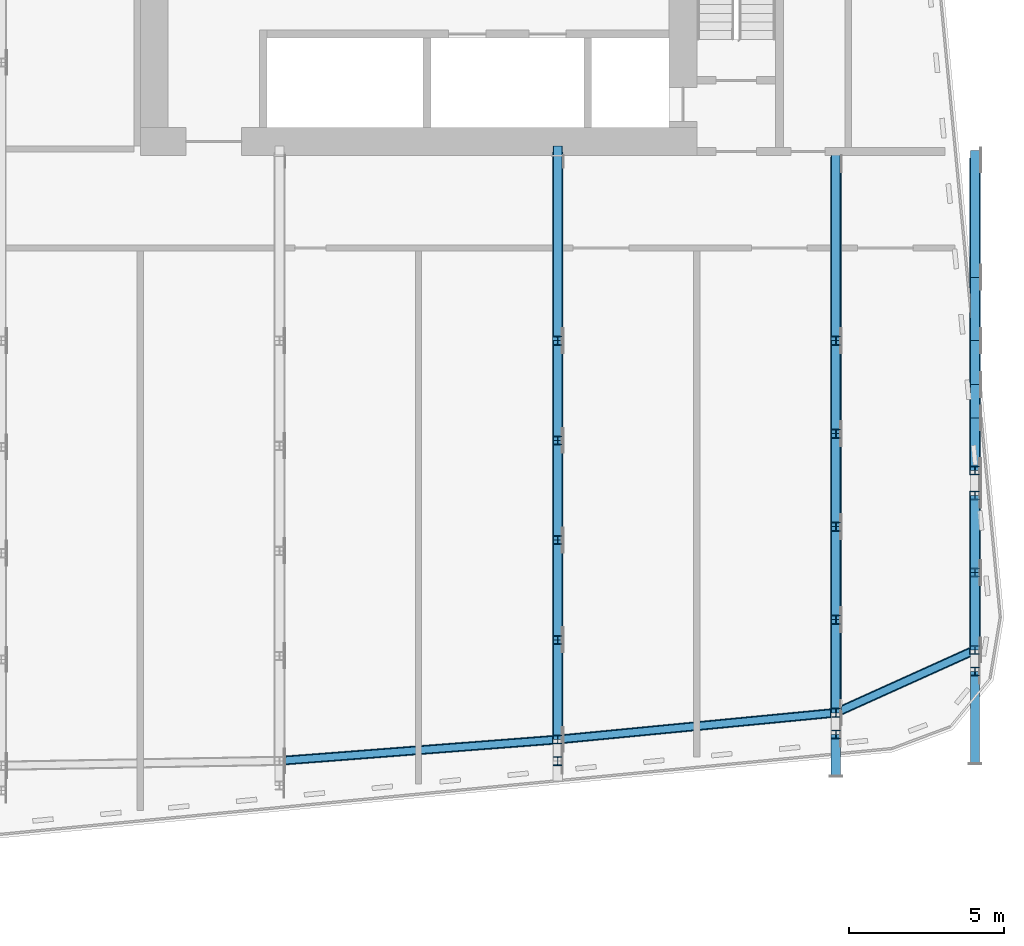
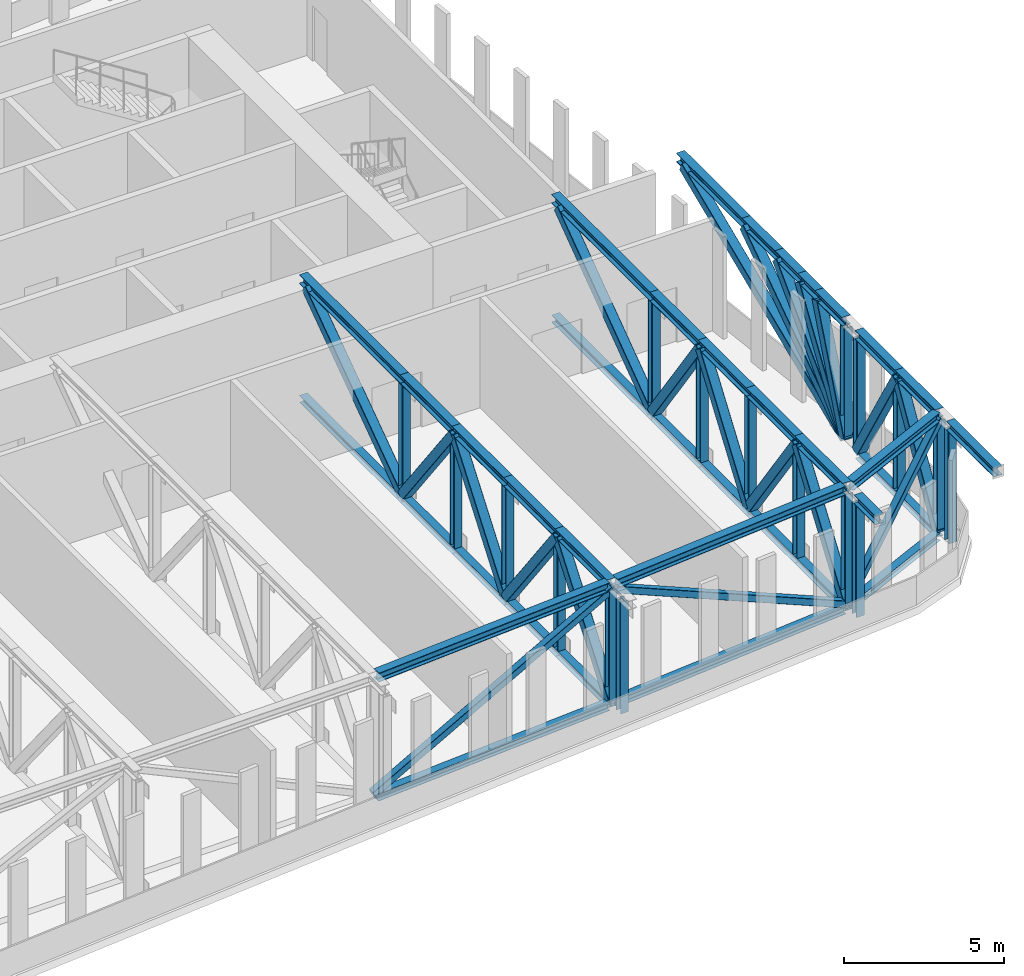
# One storey, part 6 of 26: 74 members.
"""IFC4 building model written with IfcOpenShell, lengths in metres."""

from ifc_helpers import new_model, si_unit, direction, frame, origin, origin_2d, place, context, subcontext, project, spatial, hollow_rectangle, i_section, extrude, material, material_profile, profile_set, type_object, element, save


model = new_model("IFC4")

# Units and contexts
model_context = context("Model", 3, precision=1e-05, world=origin(), true_north=direction((0.0, 1.0)))
body_context = subcontext(model_context, "Body", "Model", "MODEL_VIEW")
ifc_project = project(units=[si_unit("LENGTHUNIT", "METRE"), si_unit("AREAUNIT", "SQUARE_METRE"), si_unit("VOLUMEUNIT", "CUBIC_METRE"), si_unit("PLANEANGLEUNIT", "RADIAN"), si_unit("MASSUNIT", "GRAM", prefix="KILO")], contexts=[model_context])

# Site, building, storey
site_placement = place(None, origin())
site = spatial("IfcSite", under=ifc_project, at=site_placement, CompositionType="ELEMENT")
building_placement = place(site_placement, origin())
building = spatial("IfcBuilding", under=site, at=building_placement, Name="Kajstack Hotel Tower", CompositionType="ELEMENT")
storey_placement = place(building_placement, frame((0.0, 0.0, 206.5)))
storey = spatial("IfcBuildingStorey", under=building, at=storey_placement, Name="L50", CompositionType="ELEMENT", Elevation=206.5)

# Members
ifc_material = material(Name="Steel S355J2", Category="steel")
ifc_material_profile_1 = material_profile(ifc_material, i_section(OverallWidth=0.280029296875, OverallDepth=0.280029296875, WebThickness=0.010498046875, FlangeThickness=0.01806640625, FilletRadius=0.02392578125, at=origin_2d()), Name="HEB 280")
ifc_profile_set_1 = profile_set([ifc_material_profile_1], Name="Steel S355J2")
member_type_1 = type_object("IfcMemberType", Name="Belt truss bottom chord BB4 HEB 280", PredefinedType="CHORD", material=ifc_profile_set_1)
member_1_placement = place(storey_placement, frame((18.1396484375, -18.08056640625, -0.139892578125), z_axis=(0.997070882369, 0.076483040809, 0.0), x_axis=(-0.076483040809, 0.997070882369, 0.0)))
element("IfcMember", 1, at=member_1_placement, inside=storey, type_object=member_type_1, Name="S-belt-truss-L50-s07-b", PredefinedType="CHORD", context=body_context, shape_type="SweptSolid", body=[
    extrude(i_section(OverallWidth=0.280029296875, OverallDepth=0.280029296875, WebThickness=0.010498046875, FlangeThickness=0.01806640625, FilletRadius=0.02392578125, at=origin_2d()), origin(), (0.0, 0.0, 1.0), 8.746337890625),
])
member_2_placement = place(storey_placement, frame((27.139404296875, -17.387451171875, -0.139892578125), z_axis=(0.995395234309, 0.095855764124, 0.0), x_axis=(-0.095855764124, 0.995395234309, 0.0)))
element("IfcMember", 2, at=member_2_placement, inside=storey, type_object=member_type_1, Name="S-belt-truss-L50-s08-b", PredefinedType="CHORD", context=body_context, shape_type="SweptSolid", body=[
    extrude(i_section(OverallWidth=0.280029296875, OverallDepth=0.280029296875, WebThickness=0.010498046875, FlangeThickness=0.01806640625, FilletRadius=0.02392578125, at=origin_2d()), origin(), (0.0, 0.0, 1.0), 8.761474609375),
])
member_3_placement = place(storey_placement, frame((36.127685546875, -16.4765625, -0.139892578125), z_axis=(0.911424509945, 0.411467328802, 0.0), x_axis=(-0.411467328802, 0.911424509945, 0.0)))
element("IfcMember", 3, at=member_3_placement, inside=storey, type_object=member_type_1, Name="S-belt-truss-L50-s09-b", PredefinedType="CHORD", context=body_context, shape_type="SweptSolid", body=[
    extrude(i_section(OverallWidth=0.280029296875, OverallDepth=0.280029296875, WebThickness=0.010498046875, FlangeThickness=0.01806640625, FilletRadius=0.02392578125, at=origin_2d()), origin(), (0.0, 0.0, 1.0), 4.6572265625),
])
ifc_material_profile_2 = material_profile(ifc_material, i_section(OverallWidth=0.280029296875, OverallDepth=0.280029296875, WebThickness=0.010498046875, FlangeThickness=0.01806640625, FilletRadius=0.02392578125, at=origin_2d()), Name="HEB 280")
ifc_profile_set_2 = profile_set([ifc_material_profile_2], Name="Steel S355J2")
member_type_2 = type_object("IfcMemberType", Name="Belt truss bottom chord BC4 HEB 280", PredefinedType="CHORD", material=ifc_profile_set_2)
member_4_placement = place(storey_placement, frame((27.0, -17.40087890625, -0.139892578125), z_axis=(0.0, 1.0, 0.0), x_axis=(-1.0, 0.0, 0.0)))
element("IfcMember", 4, at=member_4_placement, inside=storey, type_object=member_type_2, Name="S-outrigger-truss-L50-+27p0-1-bc9", PredefinedType="CHORD", context=body_context, shape_type="SweptSolid", body=[
    extrude(i_section(OverallWidth=0.280029296875, OverallDepth=0.280029296875, WebThickness=0.010498046875, FlangeThickness=0.01806640625, FilletRadius=0.02392578125, at=origin_2d()), origin(), (0.0, 0.0, 1.0), 3.225341796875),
])
member_5_placement = place(storey_placement, frame((27.0, -14.175537109375, -0.139892578125), z_axis=(0.0, 1.0, 0.0), x_axis=(-1.0, 0.0, 0.0)))
element("IfcMember", 5, at=member_5_placement, inside=storey, type_object=member_type_2, Name="S-outrigger-truss-L50-+27p0-1-bc10", PredefinedType="CHORD", context=body_context, shape_type="SweptSolid", body=[
    extrude(i_section(OverallWidth=0.280029296875, OverallDepth=0.280029296875, WebThickness=0.010498046875, FlangeThickness=0.01806640625, FilletRadius=0.02392578125, at=origin_2d()), origin(), (0.0, 0.0, 1.0), 3.22509765625),
])
member_6_placement = place(storey_placement, frame((27.0, -10.950439453125, -0.139892578125), z_axis=(0.0, 1.0, 0.0), x_axis=(-1.0, 0.0, 0.0)))
element("IfcMember", 6, at=member_6_placement, inside=storey, type_object=member_type_2, Name="S-outrigger-truss-L50-+27p0-1-bc11", PredefinedType="CHORD", context=body_context, shape_type="SweptSolid", body=[
    extrude(i_section(OverallWidth=0.280029296875, OverallDepth=0.280029296875, WebThickness=0.010498046875, FlangeThickness=0.01806640625, FilletRadius=0.02392578125, at=origin_2d()), origin(), (0.0, 0.0, 1.0), 3.225341796875),
])
member_7_placement = place(storey_placement, frame((27.0, -7.72509765625, -0.139892578125), z_axis=(0.0, 1.0, 0.0), x_axis=(-1.0, 0.0, 0.0)))
element("IfcMember", 7, at=member_7_placement, inside=storey, type_object=member_type_2, Name="S-outrigger-truss-L50-+27p0-1-bc12", PredefinedType="CHORD", context=body_context, shape_type="SweptSolid", body=[
    extrude(i_section(OverallWidth=0.280029296875, OverallDepth=0.280029296875, WebThickness=0.010498046875, FlangeThickness=0.01806640625, FilletRadius=0.02392578125, at=origin_2d()), origin(), (0.0, 0.0, 1.0), 3.22509765625),
])
member_8_placement = place(storey_placement, frame((27.0, -4.5, -0.139892578125), z_axis=(0.0, 1.0, 0.0), x_axis=(-1.0, 0.0, 0.0)))
element("IfcMember", 8, at=member_8_placement, inside=storey, type_object=member_type_2, Name="S-outrigger-truss-L50-+27p0-1-bc13", PredefinedType="CHORD", context=body_context, shape_type="SweptSolid", body=[
    extrude(i_section(OverallWidth=0.280029296875, OverallDepth=0.280029296875, WebThickness=0.010498046875, FlangeThickness=0.01806640625, FilletRadius=0.02392578125, at=origin_2d()), origin(), (0.0, 0.0, 1.0), 6.300048828125),
])
for number, where, z_axis, x_axis, name in (
    (9, (36.0, -16.5341796875, -0.139892578125), (0.0, 1.0, 0.0), (-1.0, 0.0, 0.0), "S-belt-truss-L50-+36p0-1-bc9"),
    (10, (36.0, -13.525634765625, -0.139892578125), (0.0, 1.0, 0.0), (-1.0, 0.0, 0.0), "S-belt-truss-L50-+36p0-1-bc10"),
    (11, (36.0, -10.51708984375, -0.139892578125), (0.0, 1.0, 0.0), (-1.0, 0.0, 0.0), "S-belt-truss-L50-+36p0-1-bc11"),
    (12, (36.0, -7.508544921875, -0.139892578125), (0.0, 1.0, 0.0), (-1.0, 0.0, 0.0), "S-belt-truss-L50-+36p0-1-bc12"),
):
    element("IfcMember", number, at=place(storey_placement, frame(where, z_axis=z_axis, x_axis=x_axis)), inside=storey, type_object=member_type_2, Name=name, PredefinedType="CHORD", context=body_context, shape_type="SweptSolid", body=[
        extrude(i_section(OverallWidth=0.280029296875, OverallDepth=0.280029296875, WebThickness=0.010498046875, FlangeThickness=0.01806640625, FilletRadius=0.02392578125, at=origin_2d()), origin(), (0.0, 0.0, 1.0), 3.008544921875),
    ])
member_9_placement = place(storey_placement, frame((36.0, -4.5, -0.139892578125), z_axis=(0.0, 1.0, 0.0), x_axis=(-1.0, 0.0, 0.0)))
element("IfcMember", 13, at=member_9_placement, inside=storey, type_object=member_type_2, Name="S-belt-truss-L50-+36p0-1-bc13", PredefinedType="CHORD", context=body_context, shape_type="SweptSolid", body=[
    extrude(i_section(OverallWidth=0.280029296875, OverallDepth=0.280029296875, WebThickness=0.010498046875, FlangeThickness=0.01806640625, FilletRadius=0.02392578125, at=origin_2d()), origin(), (0.0, 0.0, 1.0), 6.14990234375),
])
for number, where, z_axis, x_axis, name in (
    (14, (40.5, -14.502685546875, -0.139892578125), (0.0, 1.0, 0.0), (-1.0, 0.0, 0.0), "S-belt-truss-L50-+40p5-1-bc12"),
    (15, (40.5, -12.001953125, -0.139892578125), (0.0, 1.0, 0.0), (-1.0, 0.0, 0.0), "S-belt-truss-L50-+40p5-1-bc13"),
):
    element("IfcMember", number, at=place(storey_placement, frame(where, z_axis=z_axis, x_axis=x_axis)), inside=storey, type_object=member_type_2, Name=name, PredefinedType="CHORD", context=body_context, shape_type="SweptSolid", body=[
        extrude(i_section(OverallWidth=0.280029296875, OverallDepth=0.280029296875, WebThickness=0.010498046875, FlangeThickness=0.01806640625, FilletRadius=0.02392578125, at=origin_2d()), origin(), (0.0, 0.0, 1.0), 2.500732421875),
    ])
ifc_material_profile_3 = material_profile(ifc_material, hollow_rectangle(XDim=0.25, YDim=0.25, WallThickness=0.012451171875, InnerFilletRadius=0.012451171875, OuterFilletRadius=0.018798828125, at=origin_2d()), Name="SHS 250x250x12.5")
ifc_profile_set_3 = profile_set([ifc_material_profile_3], Name="Steel S355J2")
member_type_3 = type_object("IfcMemberType", Name="Belt truss diagonal BD4 SHS 250x250x12.5", PredefinedType="BRACE", material=ifc_profile_set_3)
member_10_placement = place(storey_placement, frame((18.0, -18.09130859375, 0.0), z_axis=(0.901695083243, 0.06917300606, 0.426803317803), x_axis=(-0.076489665209, 0.997070374204, 0.0)))
element("IfcMember", 16, at=member_10_placement, inside=storey, type_object=member_type_3, Name="S-belt-truss-L50-s07-d", PredefinedType="BRACE", context=body_context, shape_type="SweptSolid", body=[
    extrude(hollow_rectangle(XDim=0.25, YDim=0.25, WallThickness=0.012451171875, InnerFilletRadius=0.012451171875, OuterFilletRadius=0.018798828125, at=origin_2d()), origin(), (0.0, 0.0, 1.0), 9.981201171875),
])
member_11_placement = place(storey_placement, frame((36.0, -16.5341796875, 0.0), z_axis=(-0.900455517268, -0.086713788148, 0.426216588564), x_axis=(0.095856468129, -0.995395166513, 0.0)))
element("IfcMember", 17, at=member_11_placement, inside=storey, type_object=member_type_3, Name="S-belt-truss-L50-s08-d", PredefinedType="BRACE", context=body_context, shape_type="SweptSolid", body=[
    extrude(hollow_rectangle(XDim=0.25, YDim=0.25, WallThickness=0.012451171875, InnerFilletRadius=0.012451171875, OuterFilletRadius=0.018798828125, at=origin_2d()), origin(), (0.0, 0.0, 1.0), 9.994873046875),
])
member_12_placement = place(storey_placement, frame((36.0, -16.5341796875, 0.0), z_axis=(0.690068385776, 0.311526640519, 0.653266236079), x_axis=(-0.411458204384, 0.911428629156, 0.0)))
element("IfcMember", 18, at=member_12_placement, inside=storey, type_object=member_type_3, Name="S-belt-truss-L50-s09-d", PredefinedType="BRACE", context=body_context, shape_type="SweptSolid", body=[
    extrude(hollow_rectangle(XDim=0.25, YDim=0.25, WallThickness=0.012451171875, InnerFilletRadius=0.012451171875, OuterFilletRadius=0.018798828125, at=origin_2d()), origin(), (0.0, 0.0, 1.0), 6.52099609375),
])
ifc_material_profile_4 = material_profile(ifc_material, hollow_rectangle(XDim=0.35009765625, YDim=0.35009765625, WallThickness=0.01611328125, InnerFilletRadius=0.01611328125, OuterFilletRadius=0.02392578125, at=origin_2d()), Name="SHS 350x350x16")
ifc_profile_set_4 = profile_set([ifc_material_profile_4], Name="Steel S355J2")
member_type_4 = type_object("IfcMemberType", Name="Belt truss diagonal DG4 SHS 350x350x16", PredefinedType="BRACE", material=ifc_profile_set_4)
member_13_placement = place(storey_placement, frame((27.0, -17.40087890625, 0.0), z_axis=(0.0, 0.603627180489, 0.797266722606), x_axis=(-1.0, 0.0, 0.0)))
element("IfcMember", 19, at=member_13_placement, inside=storey, type_object=member_type_4, Name="S-outrigger-truss-L50-+27p0-1-dg20", PredefinedType="BRACE", context=body_context, shape_type="SweptSolid", body=[
    extrude(hollow_rectangle(XDim=0.35009765625, YDim=0.35009765625, WallThickness=0.01611328125, InnerFilletRadius=0.01611328125, OuterFilletRadius=0.02392578125, at=origin_2d()), origin(), (0.0, 0.0, 1.0), 5.34326171875),
])
member_14_placement = place(storey_placement, frame((27.0, -10.950439453125, 0.0), z_axis=(0.0, -0.603598136361, 0.797288711686), x_axis=(1.0, 0.0, 0.0)))
element("IfcMember", 20, at=member_14_placement, inside=storey, type_object=member_type_4, Name="S-outrigger-truss-L50-+27p0-1-dg21", PredefinedType="BRACE", context=body_context, shape_type="SweptSolid", body=[
    extrude(hollow_rectangle(XDim=0.35009765625, YDim=0.35009765625, WallThickness=0.01611328125, InnerFilletRadius=0.01611328125, OuterFilletRadius=0.02392578125, at=origin_2d()), origin(), (0.0, 0.0, 1.0), 5.343017578125),
])
member_15_placement = place(storey_placement, frame((27.0, -10.950439453125, 0.0), z_axis=(0.0, 0.603627180489, 0.797266722606), x_axis=(-1.0, 0.0, 0.0)))
element("IfcMember", 21, at=member_15_placement, inside=storey, type_object=member_type_4, Name="S-outrigger-truss-L50-+27p0-1-dg22", PredefinedType="BRACE", context=body_context, shape_type="SweptSolid", body=[
    extrude(hollow_rectangle(XDim=0.35009765625, YDim=0.35009765625, WallThickness=0.01611328125, InnerFilletRadius=0.01611328125, OuterFilletRadius=0.02392578125, at=origin_2d()), origin(), (0.0, 0.0, 1.0), 5.34326171875),
])
member_16_placement = place(storey_placement, frame((27.0, -4.5, 0.0), z_axis=(0.0, -0.603598136361, 0.797288711686), x_axis=(1.0, 0.0, 0.0)))
element("IfcMember", 22, at=member_16_placement, inside=storey, type_object=member_type_4, Name="S-outrigger-truss-L50-+27p0-1-dg23", PredefinedType="BRACE", context=body_context, shape_type="SweptSolid", body=[
    extrude(hollow_rectangle(XDim=0.35009765625, YDim=0.35009765625, WallThickness=0.01611328125, InnerFilletRadius=0.01611328125, OuterFilletRadius=0.02392578125, at=origin_2d()), origin(), (0.0, 0.0, 1.0), 5.343017578125),
])
member_17_placement = place(storey_placement, frame((27.0, -4.5, 0.0), z_axis=(0.0, 0.815382358162, 0.578922801415), x_axis=(-1.0, 0.0, 0.0)))
element("IfcMember", 23, at=member_17_placement, inside=storey, type_object=member_type_4, Name="S-outrigger-truss-L50-+27p0-1-dg24", PredefinedType="BRACE", context=body_context, shape_type="SweptSolid", body=[
    extrude(hollow_rectangle(XDim=0.35009765625, YDim=0.35009765625, WallThickness=0.01611328125, InnerFilletRadius=0.01611328125, OuterFilletRadius=0.02392578125, at=origin_2d()), origin(), (0.0, 0.0, 1.0), 7.3583984375),
])
for number, where, z_axis, x_axis, name in (
    (24, (36.0, -16.5341796875, 0.0), (0.0, 0.576872486918, 0.816834214414), (-1.0, 0.0, 0.0), "S-belt-truss-L50-+36p0-1-dg20"),
    (25, (36.0, -10.51708984375, 0.0), (0.0, -0.576872486918, 0.816834214414), (1.0, 0.0, 0.0), "S-belt-truss-L50-+36p0-1-dg21"),
    (26, (36.0, -10.51708984375, 0.0), (0.0, 0.576872486918, 0.816834214414), (-1.0, 0.0, 0.0), "S-belt-truss-L50-+36p0-1-dg22"),
    (27, (36.0, -4.5, 0.0), (0.0, -0.576872486918, 0.816834214414), (1.0, 0.0, 0.0), "S-belt-truss-L50-+36p0-1-dg23"),
):
    element("IfcMember", number, at=place(storey_placement, frame(where, z_axis=z_axis, x_axis=x_axis)), inside=storey, type_object=member_type_4, Name=name, PredefinedType="BRACE", context=body_context, shape_type="SweptSolid", body=[
        extrude(hollow_rectangle(XDim=0.35009765625, YDim=0.35009765625, WallThickness=0.01611328125, InnerFilletRadius=0.01611328125, OuterFilletRadius=0.02392578125, at=origin_2d()), origin(), (0.0, 0.0, 1.0), 5.21533203125),
    ])
member_18_placement = place(storey_placement, frame((36.0, -4.5, 0.0), z_axis=(0.0, 0.808381436135, 0.588659030095), x_axis=(-1.0, 0.0, 0.0)))
element("IfcMember", 28, at=member_18_placement, inside=storey, type_object=member_type_4, Name="S-belt-truss-L50-+36p0-1-dg24", PredefinedType="BRACE", context=body_context, shape_type="SweptSolid", body=[
    extrude(hollow_rectangle(XDim=0.35009765625, YDim=0.35009765625, WallThickness=0.01611328125, InnerFilletRadius=0.01611328125, OuterFilletRadius=0.02392578125, at=origin_2d()), origin(), (0.0, 0.0, 1.0), 7.23681640625),
])
for number, where, z_axis, x_axis, name in (
    (29, (40.5, -14.502685546875, 0.0), (0.0, 0.506244519375, 0.862389985217), (-1.0, 0.0, 0.0), "S-belt-truss-L50-+40p5-1-dg20"),
    (30, (40.5, -9.501220703125, 0.0), (0.0, -0.506244519375, 0.862389985217), (1.0, 0.0, 0.0), "S-belt-truss-L50-+40p5-1-dg21"),
):
    element("IfcMember", number, at=place(storey_placement, frame(where, z_axis=z_axis, x_axis=x_axis)), inside=storey, type_object=member_type_4, Name=name, PredefinedType="BRACE", context=body_context, shape_type="SweptSolid", body=[
        extrude(hollow_rectangle(XDim=0.35009765625, YDim=0.35009765625, WallThickness=0.01611328125, InnerFilletRadius=0.01611328125, OuterFilletRadius=0.02392578125, at=origin_2d()), origin(), (0.0, 0.0, 1.0), 4.939697265625),
    ])
member_19_placement = place(storey_placement, frame((40.5, -8.6943359375, 0.0), z_axis=(0.0, 0.369434086475, 0.929256937424), x_axis=(-1.0, 0.0, 0.0)))
element("IfcMember", 31, at=member_19_placement, inside=storey, type_object=member_type_4, Name="S-belt-truss-L50-+40p5-1-st22", PredefinedType="BRACE", context=body_context, shape_type="SweptSolid", body=[
    extrude(hollow_rectangle(XDim=0.35009765625, YDim=0.35009765625, WallThickness=0.01611328125, InnerFilletRadius=0.01611328125, OuterFilletRadius=0.02392578125, at=origin_2d()), origin(), (0.0, 0.0, 1.0), 4.584228515625),
])
member_20_placement = place(storey_placement, frame((40.5, -8.6943359375, 0.0), z_axis=(0.0, 0.545601008462, 0.838045070128), x_axis=(-1.0, 0.0, 0.0)))
element("IfcMember", 32, at=member_20_placement, inside=storey, type_object=member_type_4, Name="S-belt-truss-L50-+40p5-1-st23", PredefinedType="BRACE", context=body_context, shape_type="SweptSolid", body=[
    extrude(hollow_rectangle(XDim=0.35009765625, YDim=0.35009765625, WallThickness=0.01611328125, InnerFilletRadius=0.01611328125, OuterFilletRadius=0.02392578125, at=origin_2d()), origin(), (0.0, 0.0, 1.0), 5.083251953125),
])
member_21_placement = place(storey_placement, frame((40.5, -8.6943359375, 0.0), z_axis=(0.0, 0.701592768664, 0.712578126916), x_axis=(-1.0, 0.0, 0.0)))
element("IfcMember", 33, at=member_21_placement, inside=storey, type_object=member_type_4, Name="S-belt-truss-L50-+40p5-1-st24", PredefinedType="BRACE", context=body_context, shape_type="SweptSolid", body=[
    extrude(hollow_rectangle(XDim=0.35009765625, YDim=0.35009765625, WallThickness=0.01611328125, InnerFilletRadius=0.01611328125, OuterFilletRadius=0.02392578125, at=origin_2d()), origin(), (0.0, 0.0, 1.0), 5.978271484375),
])
member_22_placement = place(storey_placement, frame((40.5, -8.6943359375, 0.0), z_axis=(0.0, 0.826187720678, 0.563394932707), x_axis=(-1.0, 0.0, 0.0)))
element("IfcMember", 34, at=member_22_placement, inside=storey, type_object=member_type_4, Name="S-belt-truss-L50-+40p5-1-st25", PredefinedType="BRACE", context=body_context, shape_type="SweptSolid", body=[
    extrude(hollow_rectangle(XDim=0.35009765625, YDim=0.35009765625, WallThickness=0.01611328125, InnerFilletRadius=0.01611328125, OuterFilletRadius=0.02392578125, at=origin_2d()), origin(), (0.0, 0.0, 1.0), 7.561279296875),
])
member_23_placement = place(storey_placement, frame((40.5, -8.6943359375, 0.0), z_axis=(0.0, 0.920623465264, 0.390451578567), x_axis=(-1.0, 0.0, 0.0)))
element("IfcMember", 35, at=member_23_placement, inside=storey, type_object=member_type_4, Name="S-belt-truss-L50-+40p5-1-st26", PredefinedType="BRACE", context=body_context, shape_type="SweptSolid", body=[
    extrude(hollow_rectangle(XDim=0.35009765625, YDim=0.35009765625, WallThickness=0.01611328125, InnerFilletRadius=0.01611328125, OuterFilletRadius=0.02392578125, at=origin_2d()), origin(), (0.0, 0.0, 1.0), 10.910400390625),
])
ifc_material_profile_5 = material_profile(ifc_material, i_section(OverallWidth=0.280029296875, OverallDepth=0.280029296875, WebThickness=0.010498046875, FlangeThickness=0.01806640625, FilletRadius=0.02392578125, at=origin_2d()), Name="HEB 280")
ifc_profile_set_5 = profile_set([ifc_material_profile_5], Name="Steel S355J2")
member_type_5 = type_object("IfcMemberType", Name="Belt truss post PO4 HEB 280", PredefinedType="POST", material=ifc_profile_set_5)
for number, where, z_axis, x_axis, name in (
    (36, (27.0, -18.100830078125, 0.0), (0.0, 0.0, 1.0), (1.0, 0.0, 0.0), "S-outrigger-truss-L50-+27p0-1-po14"),
    (37, (27.0, -17.40087890625, 0.0), (0.0, 0.0, 1.0), (1.0, 0.0, 0.0), "S-outrigger-truss-L50-+27p0-1-po15"),
    (38, (27.0, -14.175537109375, 0.0), (0.0, 0.0, 1.0), (1.0, 0.0, 0.0), "S-outrigger-truss-L50-+27p0-1-po16"),
    (39, (27.0, -10.950439453125, 0.0), (0.0, 0.0, 1.0), (1.0, 0.0, 0.0), "S-outrigger-truss-L50-+27p0-1-po17"),
    (40, (27.0, -7.72509765625, 0.0), (0.0, 0.0, 1.0), (1.0, 0.0, 0.0), "S-outrigger-truss-L50-+27p0-1-po18"),
    (41, (27.0, -4.5, 0.0), (0.0, 0.0, 1.0), (1.0, 0.0, 0.0), "S-outrigger-truss-L50-+27p0-1-po19"),
    (42, (36.0, -17.234130859375, 0.0), (0.0, 0.0, 1.0), (1.0, 0.0, 0.0), "S-belt-truss-L50-+36p0-1-po14"),
    (43, (36.0, -16.5341796875, 0.0), (0.0, 0.0, 1.0), (1.0, 0.0, 0.0), "S-belt-truss-L50-+36p0-1-po15"),
    (44, (36.0, -13.525634765625, 0.0), (0.0, 0.0, 1.0), (1.0, 0.0, 0.0), "S-belt-truss-L50-+36p0-1-po16"),
    (45, (36.0, -10.51708984375, 0.0), (0.0, 0.0, 1.0), (1.0, 0.0, 0.0), "S-belt-truss-L50-+36p0-1-po17"),
    (46, (36.0, -7.508544921875, 0.0), (0.0, 0.0, 1.0), (1.0, 0.0, 0.0), "S-belt-truss-L50-+36p0-1-po18"),
    (47, (36.0, -4.5, 0.0), (0.0, 0.0, 1.0), (1.0, 0.0, 0.0), "S-belt-truss-L50-+36p0-1-po19"),
    (48, (40.5, -15.20263671875, 0.0), (0.0, 0.0, 1.0), (1.0, 0.0, 0.0), "S-belt-truss-L50-+40p5-1-po15"),
    (49, (40.5, -14.502685546875, 0.0), (0.0, 0.0, 1.0), (1.0, 0.0, 0.0), "S-belt-truss-L50-+40p5-1-po16"),
    (50, (40.5, -12.001953125, 0.0), (0.0, 0.0, 1.0), (1.0, 0.0, 0.0), "S-belt-truss-L50-+40p5-1-po17"),
    (51, (40.5, -9.501220703125, 0.0), (0.0, 0.0, 1.0), (1.0, 0.0, 0.0), "S-belt-truss-L50-+40p5-1-po18"),
    (52, (40.5, -8.6943359375, 0.0), (0.0, 0.0, 1.0), (1.0, 0.0, 0.0), "S-belt-truss-L50-+40p5-1-po19"),
):
    element("IfcMember", number, at=place(storey_placement, frame(where, z_axis=z_axis, x_axis=x_axis)), inside=storey, type_object=member_type_5, Name=name, PredefinedType="POST", context=body_context, shape_type="SweptSolid", body=[
        extrude(i_section(OverallWidth=0.280029296875, OverallDepth=0.280029296875, WebThickness=0.010498046875, FlangeThickness=0.01806640625, FilletRadius=0.02392578125, at=origin_2d()), origin(), (0.0, 0.0, 1.0), 4.260009765625),
    ])
ifc_material_profile_6 = material_profile(ifc_material, i_section(OverallWidth=0.300048828125, OverallDepth=0.340087890625, WebThickness=0.011962890625, FlangeThickness=0.021484375, FilletRadius=0.027099609375, at=origin_2d()), Name="HEB 340")
ifc_profile_set_6 = profile_set([ifc_material_profile_6], Name="Steel S355J2")
member_type_6 = type_object("IfcMemberType", Name="Belt truss top chord BT4 HEB 340", PredefinedType="CHORD", material=ifc_profile_set_6)
member_24_placement = place(storey_placement, frame((18.149658203125, -18.07958984375, 4.429931640625), z_axis=(0.997072396929, 0.076463293698, 0.0), x_axis=(-0.076463293698, 0.997072396929, 0.0)))
element("IfcMember", 53, at=member_24_placement, inside=storey, type_object=member_type_6, Name="S-belt-truss-L50-s07-t", PredefinedType="CHORD", context=body_context, shape_type="SweptSolid", body=[
    extrude(i_section(OverallWidth=0.300048828125, OverallDepth=0.340087890625, WebThickness=0.011962890625, FlangeThickness=0.021484375, FilletRadius=0.027099609375, at=origin_2d()), origin(), (0.0, 0.0, 1.0), 8.726318359375),
])
member_25_placement = place(storey_placement, frame((27.1494140625, -17.386474609375, 4.429931640625), z_axis=(0.995395510024, 0.095852900965, 0.0), x_axis=(-0.095852900965, 0.995395510024, 0.0)))
element("IfcMember", 54, at=member_25_placement, inside=storey, type_object=member_type_6, Name="S-belt-truss-L50-s08-t", PredefinedType="CHORD", context=body_context, shape_type="SweptSolid", body=[
    extrude(i_section(OverallWidth=0.300048828125, OverallDepth=0.340087890625, WebThickness=0.011962890625, FlangeThickness=0.021484375, FilletRadius=0.027099609375, at=origin_2d()), origin(), (0.0, 0.0, 1.0), 8.741455078125),
])
member_26_placement = place(storey_placement, frame((36.13671875, -16.472412109375, 4.429931640625), z_axis=(0.911416460626, 0.411485158055, 0.0), x_axis=(-0.411485158055, 0.911416460626, 0.0)))
element("IfcMember", 55, at=member_26_placement, inside=storey, type_object=member_type_6, Name="S-belt-truss-L50-s09-t", PredefinedType="CHORD", context=body_context, shape_type="SweptSolid", body=[
    extrude(i_section(OverallWidth=0.300048828125, OverallDepth=0.340087890625, WebThickness=0.011962890625, FlangeThickness=0.021484375, FilletRadius=0.027099609375, at=origin_2d()), origin(), (0.0, 0.0, 1.0), 4.637451171875),
])
ifc_material_profile_7 = material_profile(ifc_material, i_section(OverallWidth=0.300048828125, OverallDepth=0.340087890625, WebThickness=0.011962890625, FlangeThickness=0.021484375, FilletRadius=0.027099609375, at=origin_2d()), Name="HEB 340")
ifc_profile_set_7 = profile_set([ifc_material_profile_7], Name="Steel S355J2")
member_type_7 = type_object("IfcMemberType", Name="Belt truss top chord TC4 HEB 340", PredefinedType="CHORD", material=ifc_profile_set_7)
member_27_placement = place(storey_placement, frame((27.0, -17.40087890625, 4.429931640625), z_axis=(0.0, 1.0, 0.0), x_axis=(-1.0, 0.0, 0.0)))
element("IfcMember", 56, at=member_27_placement, inside=storey, type_object=member_type_7, Name="S-outrigger-truss-L50-+27p0-1-tc3", PredefinedType="CHORD", context=body_context, shape_type="SweptSolid", body=[
    extrude(i_section(OverallWidth=0.300048828125, OverallDepth=0.340087890625, WebThickness=0.011962890625, FlangeThickness=0.021484375, FilletRadius=0.027099609375, at=origin_2d()), origin(), (0.0, 0.0, 1.0), 3.225341796875),
])
member_28_placement = place(storey_placement, frame((27.0, -14.175537109375, 4.429931640625), z_axis=(0.0, 1.0, 0.0), x_axis=(-1.0, 0.0, 0.0)))
element("IfcMember", 57, at=member_28_placement, inside=storey, type_object=member_type_7, Name="S-outrigger-truss-L50-+27p0-1-tc4", PredefinedType="CHORD", context=body_context, shape_type="SweptSolid", body=[
    extrude(i_section(OverallWidth=0.300048828125, OverallDepth=0.340087890625, WebThickness=0.011962890625, FlangeThickness=0.021484375, FilletRadius=0.027099609375, at=origin_2d()), origin(), (0.0, 0.0, 1.0), 3.22509765625),
])
member_29_placement = place(storey_placement, frame((27.0, -10.950439453125, 4.429931640625), z_axis=(0.0, 1.0, 0.0), x_axis=(-1.0, 0.0, 0.0)))
element("IfcMember", 58, at=member_29_placement, inside=storey, type_object=member_type_7, Name="S-outrigger-truss-L50-+27p0-1-tc5", PredefinedType="CHORD", context=body_context, shape_type="SweptSolid", body=[
    extrude(i_section(OverallWidth=0.300048828125, OverallDepth=0.340087890625, WebThickness=0.011962890625, FlangeThickness=0.021484375, FilletRadius=0.027099609375, at=origin_2d()), origin(), (0.0, 0.0, 1.0), 3.225341796875),
])
member_30_placement = place(storey_placement, frame((27.0, -7.72509765625, 4.429931640625), z_axis=(0.0, 1.0, 0.0), x_axis=(-1.0, 0.0, 0.0)))
element("IfcMember", 59, at=member_30_placement, inside=storey, type_object=member_type_7, Name="S-outrigger-truss-L50-+27p0-1-tc6", PredefinedType="CHORD", context=body_context, shape_type="SweptSolid", body=[
    extrude(i_section(OverallWidth=0.300048828125, OverallDepth=0.340087890625, WebThickness=0.011962890625, FlangeThickness=0.021484375, FilletRadius=0.027099609375, at=origin_2d()), origin(), (0.0, 0.0, 1.0), 3.22509765625),
])
member_31_placement = place(storey_placement, frame((27.0, -4.5, 4.429931640625), z_axis=(0.0, 1.0, 0.0), x_axis=(-1.0, 0.0, 0.0)))
element("IfcMember", 60, at=member_31_placement, inside=storey, type_object=member_type_7, Name="S-outrigger-truss-L50-+27p0-1-tc7", PredefinedType="CHORD", context=body_context, shape_type="SweptSolid", body=[
    extrude(i_section(OverallWidth=0.300048828125, OverallDepth=0.340087890625, WebThickness=0.011962890625, FlangeThickness=0.021484375, FilletRadius=0.027099609375, at=origin_2d()), origin(), (0.0, 0.0, 1.0), 6.300048828125),
])
member_32_placement = place(storey_placement, frame((36.0, -18.576904296875, 4.429931640625), z_axis=(0.0, 1.0, 0.0), x_axis=(-1.0, 0.0, 0.0)))
element("IfcMember", 61, at=member_32_placement, inside=storey, type_object=member_type_7, Name="S-belt-truss-L50-+36p0-1-tc1", PredefinedType="CHORD", context=body_context, shape_type="SweptSolid", body=[
    extrude(i_section(OverallWidth=0.300048828125, OverallDepth=0.340087890625, WebThickness=0.011962890625, FlangeThickness=0.021484375, FilletRadius=0.027099609375, at=origin_2d()), origin(), (0.0, 0.0, 1.0), 1.3427734375),
])
for number, where, z_axis, x_axis, name in (
    (62, (36.0, -16.5341796875, 4.429931640625), (0.0, 1.0, 0.0), (-1.0, 0.0, 0.0), "S-belt-truss-L50-+36p0-1-tc3"),
    (63, (36.0, -13.525634765625, 4.429931640625), (0.0, 1.0, 0.0), (-1.0, 0.0, 0.0), "S-belt-truss-L50-+36p0-1-tc4"),
    (64, (36.0, -10.51708984375, 4.429931640625), (0.0, 1.0, 0.0), (-1.0, 0.0, 0.0), "S-belt-truss-L50-+36p0-1-tc5"),
    (65, (36.0, -7.508544921875, 4.429931640625), (0.0, 1.0, 0.0), (-1.0, 0.0, 0.0), "S-belt-truss-L50-+36p0-1-tc6"),
):
    element("IfcMember", number, at=place(storey_placement, frame(where, z_axis=z_axis, x_axis=x_axis)), inside=storey, type_object=member_type_7, Name=name, PredefinedType="CHORD", context=body_context, shape_type="SweptSolid", body=[
        extrude(i_section(OverallWidth=0.300048828125, OverallDepth=0.340087890625, WebThickness=0.011962890625, FlangeThickness=0.021484375, FilletRadius=0.027099609375, at=origin_2d()), origin(), (0.0, 0.0, 1.0), 3.008544921875),
    ])
member_33_placement = place(storey_placement, frame((36.0, -4.5, 4.429931640625), z_axis=(0.0, 1.0, 0.0), x_axis=(-1.0, 0.0, 0.0)))
element("IfcMember", 66, at=member_33_placement, inside=storey, type_object=member_type_7, Name="S-belt-truss-L50-+36p0-1-tc7", PredefinedType="CHORD", context=body_context, shape_type="SweptSolid", body=[
    extrude(i_section(OverallWidth=0.300048828125, OverallDepth=0.340087890625, WebThickness=0.011962890625, FlangeThickness=0.021484375, FilletRadius=0.027099609375, at=origin_2d()), origin(), (0.0, 0.0, 1.0), 6.14990234375),
])
member_34_placement = place(storey_placement, frame((40.5, -18.17138671875, 4.429931640625), z_axis=(0.0, 1.0, 0.0), x_axis=(-1.0, 0.0, 0.0)))
element("IfcMember", 67, at=member_34_placement, inside=storey, type_object=member_type_7, Name="S-belt-truss-L50-+40p5-1-tc1", PredefinedType="CHORD", context=body_context, shape_type="SweptSolid", body=[
    extrude(i_section(OverallWidth=0.300048828125, OverallDepth=0.340087890625, WebThickness=0.011962890625, FlangeThickness=0.021484375, FilletRadius=0.027099609375, at=origin_2d()), origin(), (0.0, 0.0, 1.0), 2.96875),
])
for number, where, z_axis, x_axis, name in (
    (68, (40.5, -14.502685546875, 4.429931640625), (0.0, 1.0, 0.0), (-1.0, 0.0, 0.0), "S-belt-truss-L50-+40p5-1-tc3"),
    (69, (40.5, -12.001953125, 4.429931640625), (0.0, 1.0, 0.0), (-1.0, 0.0, 0.0), "S-belt-truss-L50-+40p5-1-tc4"),
):
    element("IfcMember", number, at=place(storey_placement, frame(where, z_axis=z_axis, x_axis=x_axis)), inside=storey, type_object=member_type_7, Name=name, PredefinedType="CHORD", context=body_context, shape_type="SweptSolid", body=[
        extrude(i_section(OverallWidth=0.300048828125, OverallDepth=0.340087890625, WebThickness=0.011962890625, FlangeThickness=0.021484375, FilletRadius=0.027099609375, at=origin_2d()), origin(), (0.0, 0.0, 1.0), 2.500732421875),
    ])
member_35_placement = place(storey_placement, frame((40.5, -8.6943359375, 4.429931640625), z_axis=(0.0, 1.0, 0.0), x_axis=(-1.0, 0.0, 0.0)))
element("IfcMember", 70, at=member_35_placement, inside=storey, type_object=member_type_7, Name="S-belt-truss-L50-+40p5-1-tc6", PredefinedType="CHORD", context=body_context, shape_type="SweptSolid", body=[
    extrude(i_section(OverallWidth=0.300048828125, OverallDepth=0.340087890625, WebThickness=0.011962890625, FlangeThickness=0.021484375, FilletRadius=0.027099609375, at=origin_2d()), origin(), (0.0, 0.0, 1.0), 1.693603515625),
])
member_36_placement = place(storey_placement, frame((40.5, -7.000732421875, 4.429931640625), z_axis=(0.0, 1.0, 0.0), x_axis=(-1.0, 0.0, 0.0)))
element("IfcMember", 71, at=member_36_placement, inside=storey, type_object=member_type_7, Name="S-belt-truss-L50-+40p5-1-tc7", PredefinedType="CHORD", context=body_context, shape_type="SweptSolid", body=[
    extrude(i_section(OverallWidth=0.300048828125, OverallDepth=0.340087890625, WebThickness=0.011962890625, FlangeThickness=0.021484375, FilletRadius=0.027099609375, at=origin_2d()), origin(), (0.0, 0.0, 1.0), 1.079833984375),
])
member_37_placement = place(storey_placement, frame((40.5, -5.9208984375, 4.429931640625), z_axis=(0.0, 1.0, 0.0), x_axis=(-1.0, 0.0, 0.0)))
element("IfcMember", 72, at=member_37_placement, inside=storey, type_object=member_type_7, Name="S-belt-truss-L50-+40p5-1-tc8", PredefinedType="CHORD", context=body_context, shape_type="SweptSolid", body=[
    extrude(i_section(OverallWidth=0.300048828125, OverallDepth=0.340087890625, WebThickness=0.011962890625, FlangeThickness=0.021484375, FilletRadius=0.027099609375, at=origin_2d()), origin(), (0.0, 0.0, 1.0), 1.4208984375),
])
member_38_placement = place(storey_placement, frame((40.5, -4.5, 4.429931640625), z_axis=(0.0, 1.0, 0.0), x_axis=(-1.0, 0.0, 0.0)))
element("IfcMember", 73, at=member_38_placement, inside=storey, type_object=member_type_7, Name="S-belt-truss-L50-+40p5-1-tc9", PredefinedType="CHORD", context=body_context, shape_type="SweptSolid", body=[
    extrude(i_section(OverallWidth=0.300048828125, OverallDepth=0.340087890625, WebThickness=0.011962890625, FlangeThickness=0.021484375, FilletRadius=0.027099609375, at=origin_2d()), origin(), (0.0, 0.0, 1.0), 2.052734375),
])
member_39_placement = place(storey_placement, frame((40.5, -2.447265625, 4.429931640625), z_axis=(0.0, 1.0, 0.0), x_axis=(-1.0, 0.0, 0.0)))
element("IfcMember", 74, at=member_39_placement, inside=storey, type_object=member_type_7, Name="S-belt-truss-L50-+40p5-1-tc10", PredefinedType="CHORD", context=body_context, shape_type="SweptSolid", body=[
    extrude(i_section(OverallWidth=0.300048828125, OverallDepth=0.340087890625, WebThickness=0.011962890625, FlangeThickness=0.021484375, FilletRadius=0.027099609375, at=origin_2d()), origin(), (0.0, 0.0, 1.0), 4.09716796875),
])

save(model, "model.ifc")
